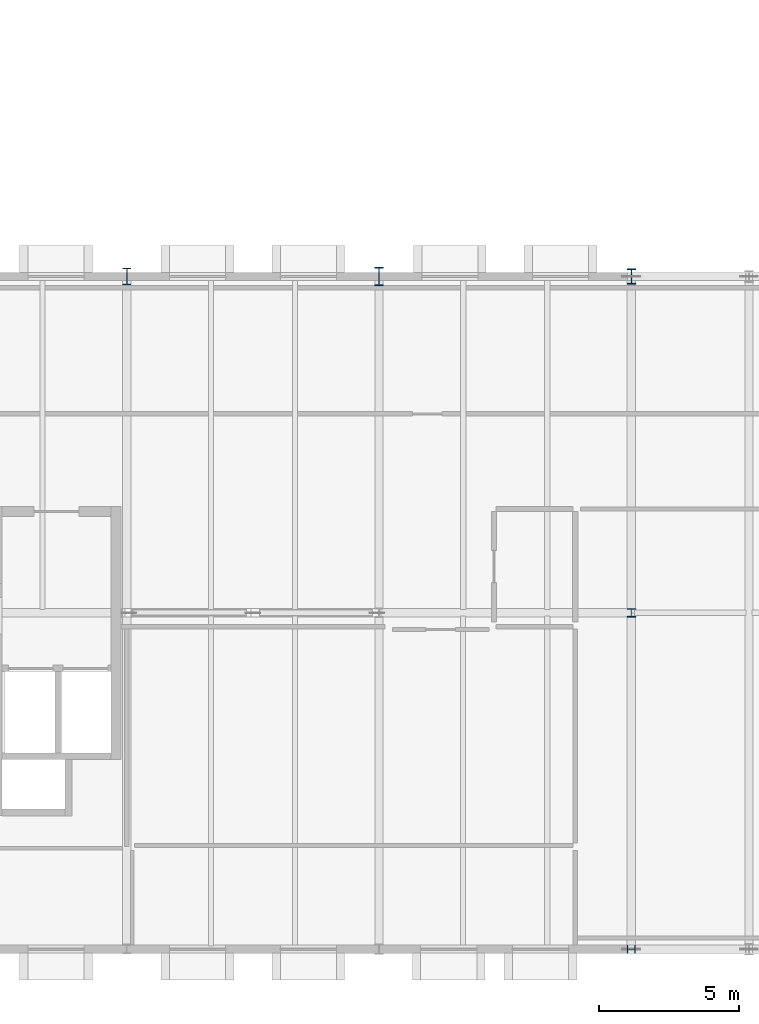
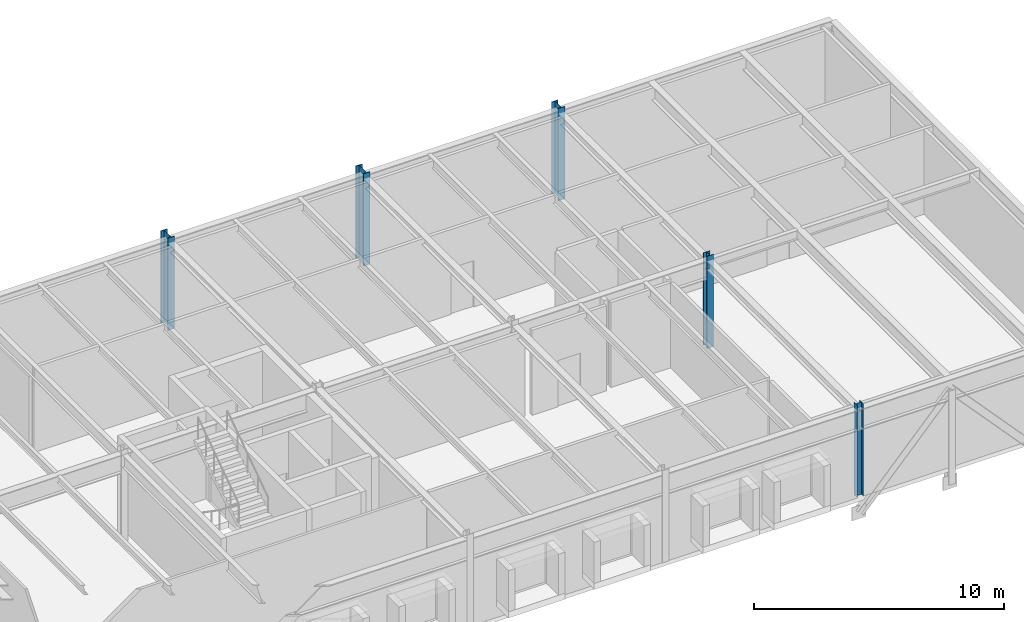
# One storey, part 4 of 67: 5 columns.
"""IFC4 building model written with IfcOpenShell, lengths in metres."""

from ifc_helpers import new_model, si_unit, direction, frame, origin, origin_2d, place, context, subcontext, project, spatial, i_section, extrude, material, material_profile, profile_set, type_object, element, save


model = new_model("IFC4")

# Units and contexts
model_context = context("Model", 3, precision=1e-05, world=origin(), true_north=direction((0.0, 1.0)))
body_context = subcontext(model_context, "Body", "Model", "MODEL_VIEW")
ifc_project = project(units=[si_unit("LENGTHUNIT", "METRE"), si_unit("AREAUNIT", "SQUARE_METRE"), si_unit("VOLUMEUNIT", "CUBIC_METRE"), si_unit("PLANEANGLEUNIT", "RADIAN"), si_unit("MASSUNIT", "GRAM", prefix="KILO")], contexts=[model_context])

# Site, building, storey
site_placement = place(None, origin())
site = spatial("IfcSite", under=ifc_project, at=site_placement, CompositionType="ELEMENT")
building_placement = place(site_placement, origin())
building = spatial("IfcBuilding", under=site, at=building_placement, Name="Montelvaro Courts of Justice", CompositionType="ELEMENT")
storey_placement = place(building_placement, frame((0.0, 0.0, 18.89990234375)))
storey = spatial("IfcBuildingStorey", under=building, at=storey_placement, Name="L04", CompositionType="ELEMENT", Elevation=18.89990234375)

# Columns
ifc_material = material(Name="Steel S355", Category="steel")
ifc_material_profile_1 = material_profile(ifc_material, i_section(OverallWidth=0.280029296875, OverallDepth=0.280029296875, WebThickness=0.010498046875, FlangeThickness=0.01806640625, at=origin_2d()), Name="HEB 280")
ifc_profile_set_1 = profile_set([ifc_material_profile_1], Name="Steel S355")
column_type_1 = type_object("IfcColumnType", Name="Col_HEB280", PredefinedType="COLUMN", material=ifc_profile_set_1)
column_1_placement = place(storey_placement, frame((135.0, 0.0, 0.0), z_axis=(0.0, 0.0, 1.0), x_axis=(0.0, 1.0, 0.0)))
element("IfcColumn", 1, at=column_1_placement, inside=storey, type_object=column_type_1, Name="Column C-02 L04 16/A", PredefinedType="COLUMN", context=body_context, shape_type="SweptSolid", body=[
    extrude(i_section(OverallWidth=0.280029296875, OverallDepth=0.280029296875, WebThickness=0.010498046875, FlangeThickness=0.01806640625, at=origin_2d()), origin(), (0.0, 0.0, 1.0), 4.5),
])
ifc_material_profile_2 = material_profile(ifc_material, i_section(OverallWidth=0.300048828125, OverallDepth=0.300048828125, WebThickness=0.010986328125, FlangeThickness=0.01904296875, at=origin_2d()), Name="HEB 300")
ifc_profile_set_2 = profile_set([ifc_material_profile_2], Name="Steel S355")
column_type_2 = type_object("IfcColumnType", Name="Col_HEB300", PredefinedType="COLUMN", material=ifc_profile_set_2)
column_2_placement = place(storey_placement, frame((135.0, 12.0, 0.0), z_axis=(0.0, 0.0, 1.0), x_axis=(1.0, 0.0, 0.0)))
element("IfcColumn", 2, at=column_2_placement, inside=storey, type_object=column_type_2, Name="Column C-03 L04 16/B", PredefinedType="COLUMN", context=body_context, shape_type="SweptSolid", body=[
    extrude(i_section(OverallWidth=0.300048828125, OverallDepth=0.300048828125, WebThickness=0.010986328125, FlangeThickness=0.01904296875, at=origin_2d()), origin(), (0.0, 0.0, 1.0), 4.5),
])
ifc_material_profile_3 = material_profile(ifc_material, i_section(OverallWidth=0.300048828125, OverallDepth=0.550048828125, WebThickness=0.014892578125, FlangeThickness=0.029052734375, at=origin_2d()), Name="HEB 550")
ifc_profile_set_3 = profile_set([ifc_material_profile_3], Name="Steel S355")
column_type_3 = type_object("IfcColumnType", Name="Col_HEB550", PredefinedType="COLUMN", material=ifc_profile_set_3)
column_3_placement = place(storey_placement, frame((135.0, 24.0, 0.0), z_axis=(0.0, 0.0, 1.0), x_axis=(1.0, 0.0, 0.0)))
element("IfcColumn", 3, at=column_3_placement, inside=storey, type_object=column_type_3, Name="Column C-10 L04 16/C", PredefinedType="COLUMN", context=body_context, shape_type="SweptSolid", body=[
    extrude(i_section(OverallWidth=0.300048828125, OverallDepth=0.550048828125, WebThickness=0.014892578125, FlangeThickness=0.029052734375, at=origin_2d()), origin(), (0.0, 0.0, 1.0), 4.5),
])
ifc_material_profile_4 = material_profile(ifc_material, i_section(OverallWidth=0.300048828125, OverallDepth=0.60009765625, WebThickness=0.015380859375, FlangeThickness=0.030029296875, at=origin_2d()), Name="HEB 600")
ifc_profile_set_4 = profile_set([ifc_material_profile_4], Name="Steel S355")
column_type_4 = type_object("IfcColumnType", Name="Col_HEB600", PredefinedType="COLUMN", material=ifc_profile_set_4)
column_4_placement = place(storey_placement, frame((117.0, 24.0, 0.0), z_axis=(0.0, 0.0, 1.0), x_axis=(1.0, 0.0, 0.0)))
element("IfcColumn", 4, at=column_4_placement, inside=storey, type_object=column_type_4, Name="Column C-11 L04 14/C", PredefinedType="COLUMN", context=body_context, shape_type="SweptSolid", body=[
    extrude(i_section(OverallWidth=0.300048828125, OverallDepth=0.60009765625, WebThickness=0.015380859375, FlangeThickness=0.030029296875, at=origin_2d()), origin(), (0.0, 0.0, 1.0), 4.5),
])
ifc_material_profile_5 = material_profile(ifc_material, i_section(OverallWidth=0.300048828125, OverallDepth=0.64990234375, WebThickness=0.01611328125, FlangeThickness=0.031005859375, at=origin_2d()), Name="HEB 650")
ifc_profile_set_5 = profile_set([ifc_material_profile_5], Name="Steel S355")
column_type_5 = type_object("IfcColumnType", Name="Col_HEB650", PredefinedType="COLUMN", material=ifc_profile_set_5)
column_5_placement = place(storey_placement, frame((126.0, 24.0, 0.0), z_axis=(0.0, 0.0, 1.0), x_axis=(1.0, 0.0, 0.0)))
element("IfcColumn", 5, at=column_5_placement, inside=storey, type_object=column_type_5, Name="Column C-12 L04 15/C", PredefinedType="COLUMN", context=body_context, shape_type="SweptSolid", body=[
    extrude(i_section(OverallWidth=0.300048828125, OverallDepth=0.64990234375, WebThickness=0.01611328125, FlangeThickness=0.031005859375, at=origin_2d()), origin(), (0.0, 0.0, 1.0), 4.5),
])

save(model, "model.ifc")
